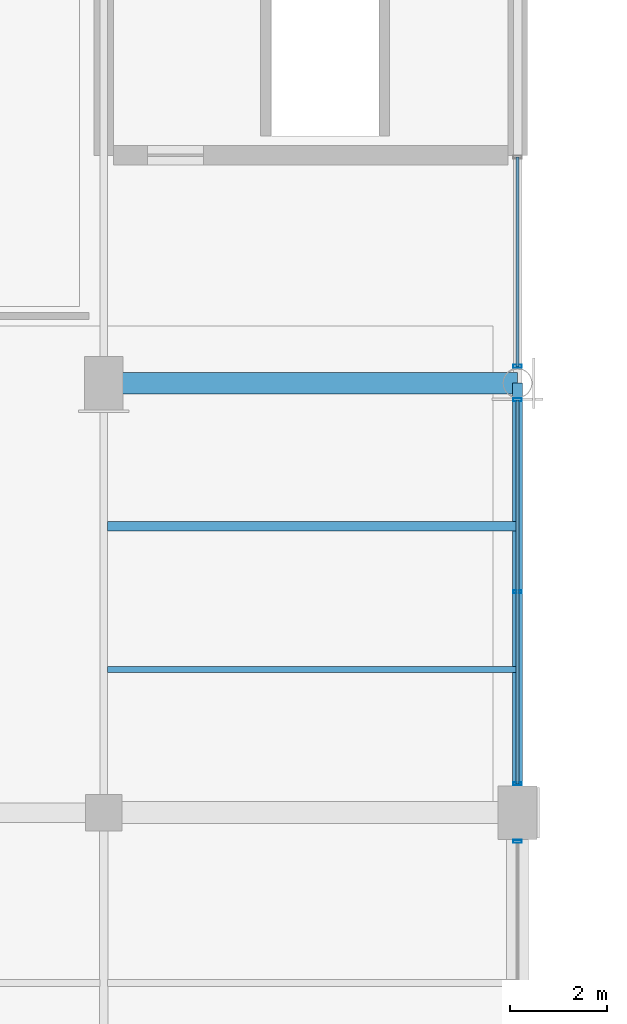
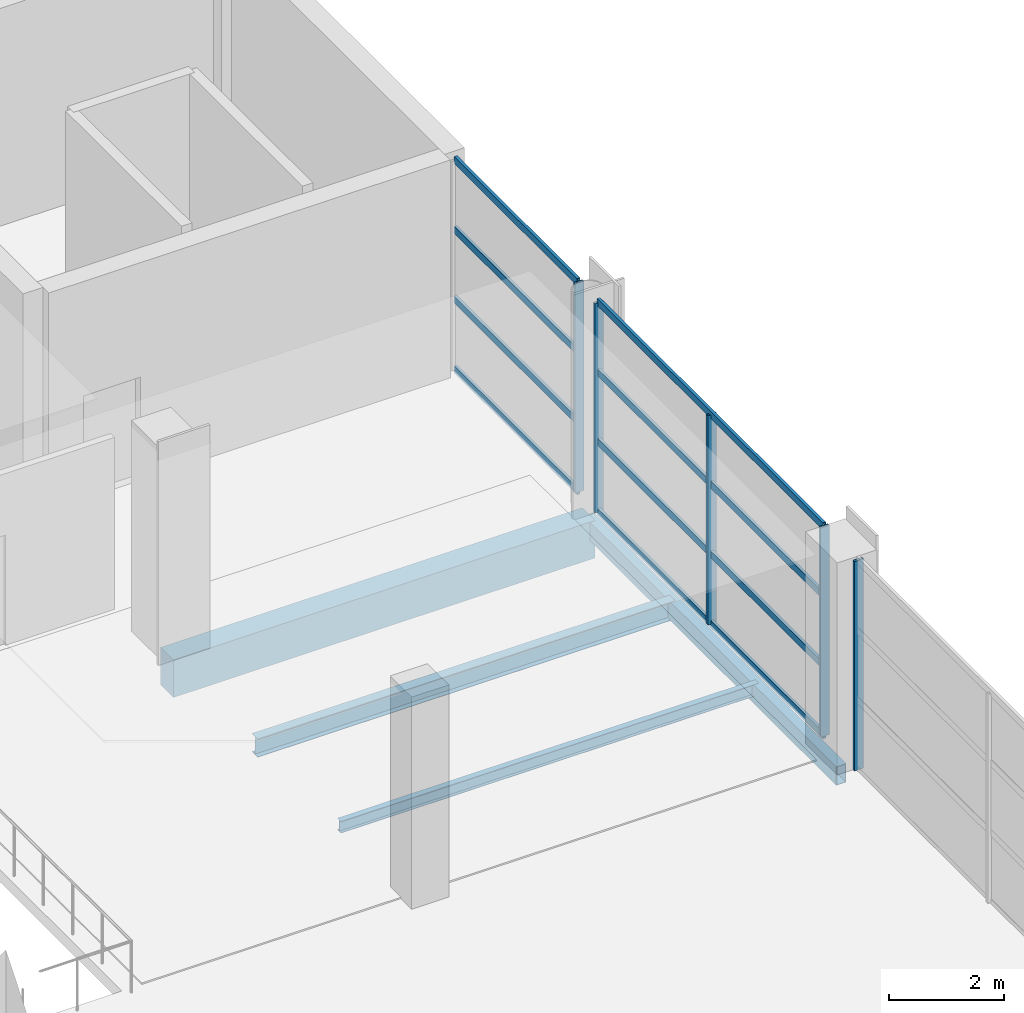
# One storey, part 27 of 112: 13 members, 4 beams, 3 elements without a shape of their own.
"""IFC4 building model written with IfcOpenShell, lengths in metres."""

from ifc_helpers import new_model, si_unit, direction, frame, origin, origin_2d, place, context, subcontext, project, spatial, rectangle, hollow_rectangle, i_section, extrude, material, material_profile, profile_set, type_object, element, aggregate, save


model = new_model("IFC4")

# Units and contexts
model_context = context("Model", 3, precision=1e-05, world=origin(), true_north=direction((0.0, 1.0)))
body_context = subcontext(model_context, "Body", "Model", "MODEL_VIEW")
ifc_project = project(units=[si_unit("LENGTHUNIT", "METRE"), si_unit("AREAUNIT", "SQUARE_METRE"), si_unit("VOLUMEUNIT", "CUBIC_METRE"), si_unit("PLANEANGLEUNIT", "RADIAN"), si_unit("MASSUNIT", "GRAM", prefix="KILO")], contexts=[model_context])

# Site, building, storey
site_placement = place(None, origin())
site = spatial("IfcSite", under=ifc_project, at=site_placement, CompositionType="ELEMENT")
building_placement = place(site_placement, origin())
building = spatial("IfcBuilding", under=site, at=building_placement, Name="Solvikara Media Centre", CompositionType="ELEMENT")
storey_placement = place(building_placement, frame((0.0, 0.0, 5.39990234375)))
storey = spatial("IfcBuildingStorey", under=building, at=storey_placement, Name="L01", CompositionType="ELEMENT", Elevation=5.39990234375)

# Beams
ifc_material_1 = material(Name="Concrete fc' 35 MPa (C35/45)", Category="concrete")
ifc_material_profile_1 = material_profile(ifc_material_1, rectangle(XDim=0.449951171875, YDim=0.800048828125, at=origin_2d()), Name="RC 450x800")
ifc_profile_set_1 = profile_set([ifc_material_profile_1], Name="Concrete fc' 35 MPa (C35/45)")
beam_type_1 = type_object("IfcBeamType", Name="BM-06", PredefinedType="BEAM", material=ifc_profile_set_1)
beam_1_placement = place(storey_placement, frame((68.0, 19.320068359375, -0.659912109375), z_axis=(1.0, 0.0, 0.0), x_axis=(0.0, 1.0, 0.0)))
element("IfcBeam", 1, at=beam_1_placement, inside=storey, type_object=beam_type_1, Name="B-L01-X0462", PredefinedType="BEAM", context=body_context, shape_type="SweptSolid", body=[
    extrude(rectangle(XDim=0.449951171875, YDim=0.800048828125, at=origin_2d()), origin(), (0.0, 0.0, 1.0), 8.5),
])
ifc_material_2 = material(Name="Steel S355JR", Category="steel")
ifc_material_profile_2 = material_profile(ifc_material_2, i_section(OverallWidth=0.125, OverallDepth=0.25, WebThickness=0.006103515625, FlangeThickness=0.009033203125, at=origin_2d()), Name="WF 250x125x6x9")
ifc_profile_set_2 = profile_set([ifc_material_profile_2], Name="Steel S355JR")
beam_type_2 = type_object("IfcBeamType", Name="BM-24", PredefinedType="JOIST", material=ifc_profile_set_2)
beam_2_placement = place(storey_placement, frame((68.077880859375, 13.44091796875, -0.386962890625), z_axis=(1.0, 0.0, 0.0), x_axis=(0.0, 1.0, 0.0)))
element("IfcBeam", 2, at=beam_2_placement, inside=storey, type_object=beam_type_2, Name="J-L01-0756", PredefinedType="JOIST", context=body_context, shape_type="SweptSolid", body=[
    extrude(i_section(OverallWidth=0.125, OverallDepth=0.25, WebThickness=0.006103515625, FlangeThickness=0.009033203125, at=origin_2d()), origin(), (0.0, 0.0, 1.0), 8.422119140625),
])
ifc_material_profile_3 = material_profile(ifc_material_2, hollow_rectangle(XDim=0.199951171875, YDim=0.39990234375, WallThickness=0.011962890625, at=origin_2d()), Name="RHS 400x200x12")
ifc_profile_set_3 = profile_set([ifc_material_profile_3], Name="Steel S355JR")
beam_type_3 = type_object("IfcBeamType", Name="BM-33", PredefinedType="SPANDREL", material=ifc_profile_set_3)
beam_3_placement = place(storey_placement, frame((76.5, 10.5, -0.4619140625), z_axis=(0.0, 1.0, 0.0), x_axis=(-1.0, 0.0, 0.0)))
element("IfcBeam", 3, at=beam_3_placement, inside=storey, type_object=beam_type_3, Name="B-L01-Y0597", PredefinedType="SPANDREL", context=body_context, shape_type="SweptSolid", body=[
    extrude(hollow_rectangle(XDim=0.199951171875, YDim=0.39990234375, WallThickness=0.011962890625, at=origin_2d()), origin(), (0.0, 0.0, 1.0), 8.823974609375),
])
ifc_material_profile_4 = material_profile(ifc_material_2, i_section(OverallWidth=0.198974609375, OverallDepth=0.39599609375, WebThickness=0.007080078125, FlangeThickness=0.010986328125, at=origin_2d()), Name="WF 396x199x7x11")
ifc_profile_set_4 = profile_set([ifc_material_profile_4], Name="Steel S355JR")
beam_type_4 = type_object("IfcBeamType", Name="BM-37", PredefinedType="JOIST", material=ifc_profile_set_4)
beam_4_placement = place(storey_placement, frame((68.077880859375, 16.383056640625, -0.4599609375), z_axis=(1.0, 0.0, 0.0), x_axis=(0.0, 1.0, 0.0)))
element("IfcBeam", 4, at=beam_4_placement, inside=storey, type_object=beam_type_4, Name="J-L01-0757", PredefinedType="JOIST", context=body_context, shape_type="SweptSolid", body=[
    extrude(i_section(OverallWidth=0.198974609375, OverallDepth=0.39599609375, WebThickness=0.007080078125, FlangeThickness=0.010986328125, at=origin_2d()), origin(), (0.0, 0.0, 1.0), 8.422119140625),
])

# Curtain wall, member
ifc_material_3 = material(Name="Anodised aluminium EN AW-6063", Category="aluminium")
curtain_wall_type = type_object("IfcCurtainWallType", Name="CW-16", PredefinedType="NOTDEFINED", material=ifc_material_3)
curtain_wall_1_placement = place(storey_placement, origin())
curtain_wall_1 = element("IfcCurtainWall", 5, at=curtain_wall_1_placement, inside=storey, type_object=curtain_wall_type, Name="CW-L01-V6E-S1", PredefinedType="NOTDEFINED")
ifc_material_profile_5 = material_profile(ifc_material_3, hollow_rectangle(XDim=0.06005859375, YDim=0.179931640625, WallThickness=0.00341796875, at=origin_2d()), Name="ALU-M 60x180x3.5")
ifc_profile_set_5 = profile_set([ifc_material_profile_5], Name="Anodised aluminium EN AW-6063")
member_type_1 = type_object("IfcMemberType", Name="MF-03", PredefinedType="MULLION", material=ifc_profile_set_5)
member_1_placement = place(storey_placement, frame((76.5, 9.909912109375, 0.02001953125), z_axis=(0.0, 0.0, 1.0), x_axis=(0.0, 1.0, 0.0)))
member_1 = element("IfcMember", 6, at=member_1_placement, type_object=member_type_1, Name="CW-L01-V6E-S1-M02", PredefinedType="MULLION", context=body_context, shape_type="SweptSolid", body=[
    extrude(hollow_rectangle(XDim=0.06005859375, YDim=0.179931640625, WallThickness=0.00341796875, at=origin_2d()), origin(), (0.0, 0.0, 1.0), 4.4599609375),
])
aggregate(curtain_wall_1, [member_1])

# Curtain wall, members
curtain_wall_2_placement = place(storey_placement, origin())
curtain_wall_2 = element("IfcCurtainWall", 7, at=curtain_wall_2_placement, inside=storey, type_object=curtain_wall_type, Name="CW-L01-V6E-S2", PredefinedType="NOTDEFINED")
member_2_placement = place(storey_placement, frame((76.5, 11.090087890625, 0.02001953125), z_axis=(0.0, 0.0, 1.0), x_axis=(0.0, 1.0, 0.0)))
member_2 = element("IfcMember", 8, at=member_2_placement, type_object=member_type_1, Name="CW-L01-V6E-S2-M00", PredefinedType="MULLION", context=body_context, shape_type="SweptSolid", body=[
    extrude(hollow_rectangle(XDim=0.06005859375, YDim=0.179931640625, WallThickness=0.00341796875, at=origin_2d()), origin(), (0.0, 0.0, 1.0), 4.4599609375),
])
member_3_placement = place(storey_placement, frame((76.5, 15.033935546875, 0.02001953125), z_axis=(0.0, 0.0, 1.0), x_axis=(0.0, 1.0, 0.0)))
member_3 = element("IfcMember", 9, at=member_3_placement, type_object=member_type_1, Name="CW-L01-V6E-S2-M01", PredefinedType="MULLION", context=body_context, shape_type="SweptSolid", body=[
    extrude(hollow_rectangle(XDim=0.06005859375, YDim=0.179931640625, WallThickness=0.00341796875, at=origin_2d()), origin(), (0.0, 0.0, 1.0), 4.4599609375),
])
member_4_placement = place(storey_placement, frame((76.5, 18.97900390625, 0.02001953125), z_axis=(0.0, 0.0, 1.0), x_axis=(0.0, 1.0, 0.0)))
member_4 = element("IfcMember", 10, at=member_4_placement, type_object=member_type_1, Name="CW-L01-V6E-S2-M02", PredefinedType="MULLION", context=body_context, shape_type="SweptSolid", body=[
    extrude(hollow_rectangle(XDim=0.06005859375, YDim=0.179931640625, WallThickness=0.00341796875, at=origin_2d()), origin(), (0.0, 0.0, 1.0), 4.4599609375),
])

# Curtain wall, member
curtain_wall_3_placement = place(storey_placement, origin())
curtain_wall_3 = element("IfcCurtainWall", 11, at=curtain_wall_3_placement, inside=storey, type_object=curtain_wall_type, Name="CW-L01-V6E-S3", PredefinedType="NOTDEFINED")
member_5_placement = place(storey_placement, frame((76.5, 19.6689453125, 0.02001953125), z_axis=(0.0, 0.0, 1.0), x_axis=(0.0, 1.0, 0.0)))
member_5 = element("IfcMember", 12, at=member_5_placement, type_object=member_type_1, Name="CW-L01-V6E-S3-M00", PredefinedType="MULLION", context=body_context, shape_type="SweptSolid", body=[
    extrude(hollow_rectangle(XDim=0.06005859375, YDim=0.179931640625, WallThickness=0.00341796875, at=origin_2d()), origin(), (0.0, 0.0, 1.0), 4.4599609375),
])

# Member
ifc_material_profile_6 = material_profile(ifc_material_3, hollow_rectangle(XDim=0.06005859375, YDim=0.14990234375, WallThickness=0.0029296875, at=origin_2d()), Name="ALU-T 60x150x3")
ifc_profile_set_6 = profile_set([ifc_material_profile_6], Name="Anodised aluminium EN AW-6063")
member_type_2 = type_object("IfcMemberType", Name="MF-09", PredefinedType="USERDEFINED", material=ifc_profile_set_6)
member_6_placement = place(storey_placement, frame((76.5, 11.090087890625, 0.02001953125), z_axis=(0.0, 1.0, 0.0), x_axis=(-1.0, 0.0, 0.0)))
member_6 = element("IfcMember", 13, at=member_6_placement, type_object=member_type_2, Name="CW-L01-V6E-S2-T00", ObjectType="TRANSOM", PredefinedType="USERDEFINED", context=body_context, shape_type="SweptSolid", body=[
    extrude(hollow_rectangle(XDim=0.06005859375, YDim=0.14990234375, WallThickness=0.0029296875, at=origin_2d()), origin(), (0.0, 0.0, 1.0), 7.888916015625),
])

member_7_placement = place(storey_placement, frame((76.5, 11.090087890625, 1.507080078125), z_axis=(0.0, 1.0, 0.0), x_axis=(-1.0, 0.0, 0.0)))
member_7 = element("IfcMember", 14, at=member_7_placement, type_object=member_type_2, Name="CW-L01-V6E-S2-T01", ObjectType="TRANSOM", PredefinedType="USERDEFINED", context=body_context, shape_type="SweptSolid", body=[
    extrude(hollow_rectangle(XDim=0.06005859375, YDim=0.14990234375, WallThickness=0.0029296875, at=origin_2d()), origin(), (0.0, 0.0, 1.0), 7.888916015625),
])

member_8_placement = place(storey_placement, frame((76.5, 11.090087890625, 2.9931640625), z_axis=(0.0, 1.0, 0.0), x_axis=(-1.0, 0.0, 0.0)))
member_8 = element("IfcMember", 15, at=member_8_placement, type_object=member_type_2, Name="CW-L01-V6E-S2-T02", ObjectType="TRANSOM", PredefinedType="USERDEFINED", context=body_context, shape_type="SweptSolid", body=[
    extrude(hollow_rectangle(XDim=0.06005859375, YDim=0.14990234375, WallThickness=0.0029296875, at=origin_2d()), origin(), (0.0, 0.0, 1.0), 7.888916015625),
])

member_9_placement = place(storey_placement, frame((76.5, 11.090087890625, 4.47998046875), z_axis=(0.0, 1.0, 0.0), x_axis=(-1.0, 0.0, 0.0)))
member_9 = element("IfcMember", 16, at=member_9_placement, type_object=member_type_2, Name="CW-L01-V6E-S2-T03", ObjectType="TRANSOM", PredefinedType="USERDEFINED", context=body_context, shape_type="SweptSolid", body=[
    extrude(hollow_rectangle(XDim=0.06005859375, YDim=0.14990234375, WallThickness=0.0029296875, at=origin_2d()), origin(), (0.0, 0.0, 1.0), 7.888916015625),
])

aggregate(curtain_wall_2, [member_2, member_3, member_4, member_6, member_7, member_8, member_9])

member_10_placement = place(storey_placement, frame((76.5, 19.6689453125, 0.02001953125), z_axis=(0.0, 1.0, 0.0), x_axis=(-1.0, 0.0, 0.0)))
member_10 = element("IfcMember", 17, at=member_10_placement, type_object=member_type_2, Name="CW-L01-V6E-S3-T00", ObjectType="TRANSOM", PredefinedType="USERDEFINED", context=body_context, shape_type="SweptSolid", body=[
    extrude(hollow_rectangle(XDim=0.06005859375, YDim=0.14990234375, WallThickness=0.0029296875, at=origin_2d()), origin(), (0.0, 0.0, 1.0), 4.296142578125),
])

member_11_placement = place(storey_placement, frame((76.5, 19.6689453125, 1.507080078125), z_axis=(0.0, 1.0, 0.0), x_axis=(-1.0, 0.0, 0.0)))
member_11 = element("IfcMember", 18, at=member_11_placement, type_object=member_type_2, Name="CW-L01-V6E-S3-T01", ObjectType="TRANSOM", PredefinedType="USERDEFINED", context=body_context, shape_type="SweptSolid", body=[
    extrude(hollow_rectangle(XDim=0.06005859375, YDim=0.14990234375, WallThickness=0.0029296875, at=origin_2d()), origin(), (0.0, 0.0, 1.0), 4.296142578125),
])

member_12_placement = place(storey_placement, frame((76.5, 19.6689453125, 2.9931640625), z_axis=(0.0, 1.0, 0.0), x_axis=(-1.0, 0.0, 0.0)))
member_12 = element("IfcMember", 19, at=member_12_placement, type_object=member_type_2, Name="CW-L01-V6E-S3-T02", ObjectType="TRANSOM", PredefinedType="USERDEFINED", context=body_context, shape_type="SweptSolid", body=[
    extrude(hollow_rectangle(XDim=0.06005859375, YDim=0.14990234375, WallThickness=0.0029296875, at=origin_2d()), origin(), (0.0, 0.0, 1.0), 4.296142578125),
])

member_13_placement = place(storey_placement, frame((76.5, 19.6689453125, 4.47998046875), z_axis=(0.0, 1.0, 0.0), x_axis=(-1.0, 0.0, 0.0)))
member_13 = element("IfcMember", 20, at=member_13_placement, type_object=member_type_2, Name="CW-L01-V6E-S3-T03", ObjectType="TRANSOM", PredefinedType="USERDEFINED", context=body_context, shape_type="SweptSolid", body=[
    extrude(hollow_rectangle(XDim=0.06005859375, YDim=0.14990234375, WallThickness=0.0029296875, at=origin_2d()), origin(), (0.0, 0.0, 1.0), 4.296142578125),
])

aggregate(curtain_wall_3, [member_5, member_10, member_11, member_12, member_13])

save(model, "model.ifc")
